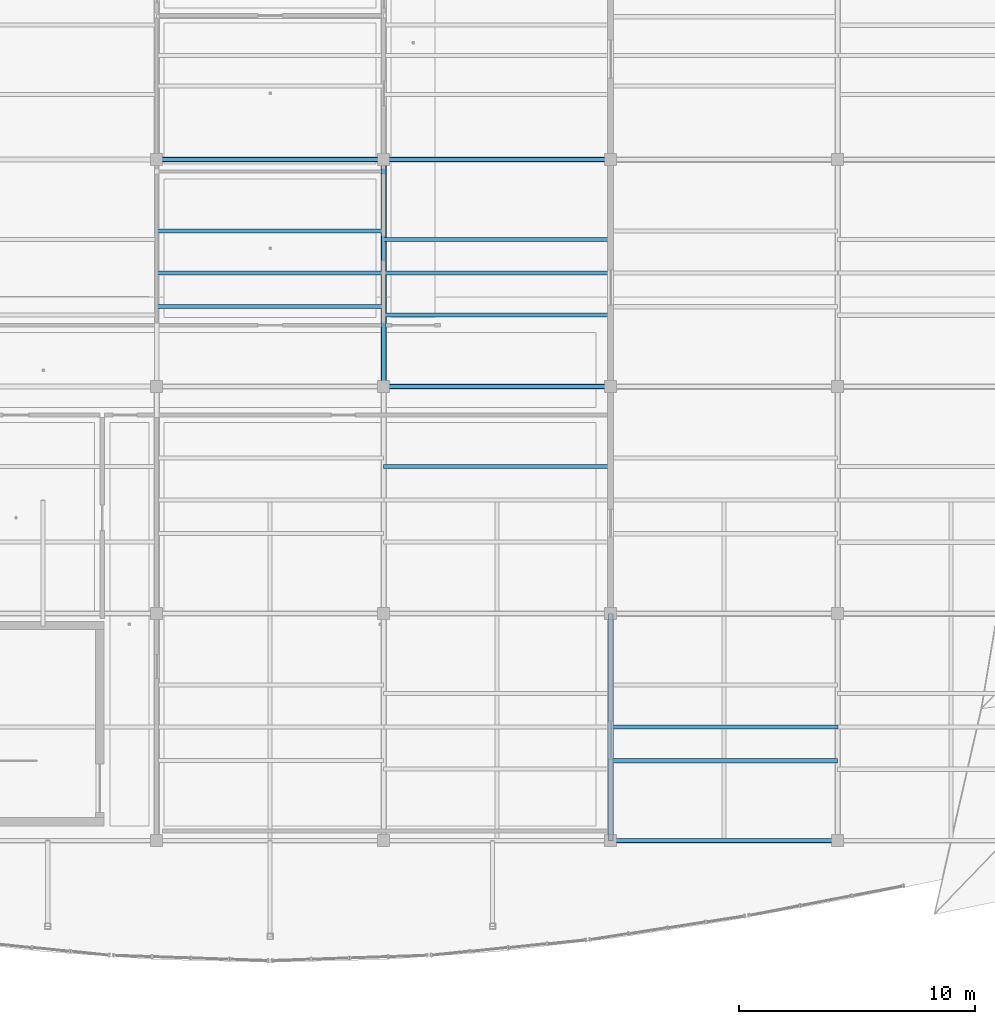
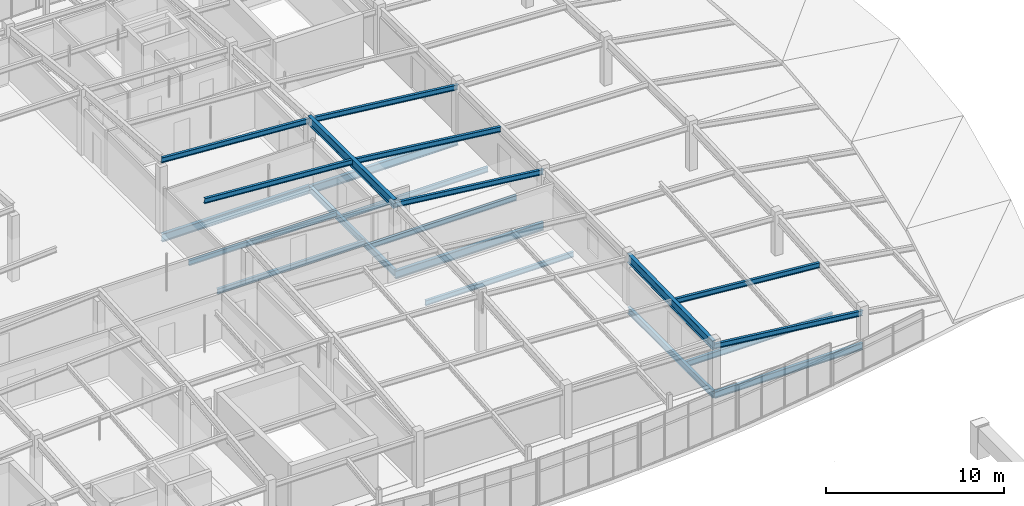
# One storey, part 40 of 65: 14 beams, 7 members.
"""IFC4 building model written with IfcOpenShell, lengths in metres."""

from ifc_helpers import new_model, si_unit, direction, frame, origin, origin_2d, place, context, subcontext, project, spatial, i_section, extrude, material, material_profile, profile_set, type_object, element, save


model = new_model("IFC4")

# Units and contexts
model_context = context("Model", 3, precision=1e-05, world=origin(), true_north=direction((0.0, 1.0)))
body_context = subcontext(model_context, "Body", "Model", "MODEL_VIEW")
ifc_project = project(units=[si_unit("LENGTHUNIT", "METRE"), si_unit("AREAUNIT", "SQUARE_METRE"), si_unit("VOLUMEUNIT", "CUBIC_METRE"), si_unit("PLANEANGLEUNIT", "RADIAN"), si_unit("MASSUNIT", "GRAM", prefix="KILO")], contexts=[model_context])

# Site, building, storey
site_placement = place(None, origin())
site = spatial("IfcSite", under=ifc_project, at=site_placement, CompositionType="ELEMENT")
building_placement = place(site_placement, origin())
building = spatial("IfcBuilding", under=site, at=building_placement, Name="Chalmorin Arch Market", CompositionType="ELEMENT")
storey_placement = place(building_placement, frame((0.0, 0.0, 14.10009765625)))
storey = spatial("IfcBuildingStorey", under=building, at=storey_placement, Name="L03", CompositionType="ELEMENT", Elevation=14.10009765625)

# Beams
ifc_material = material(Name="Steel A992 Grade 50", Category="steel")
ifc_material_profile_1 = material_profile(ifc_material, i_section(OverallWidth=0.19091796875, OverallDepth=0.45703125, WebThickness=0.009033203125, FlangeThickness=0.014404296875, FilletRadius=0.02001953125, at=origin_2d()), Name="W18X50")
ifc_profile_set_1 = profile_set([ifc_material_profile_1], Name="Steel A992 Grade 50")
beam_type_1 = type_object("IfcBeamType", Name="FloorSteelBeam-W18X50", PredefinedType="BEAM", material=ifc_profile_set_1)
beam_1_placement = place(storey_placement, frame((86.39990234375, 91.199951171875, -0.470703125), z_axis=(0.0, 1.0, 0.0), x_axis=(-1.0, 0.0, 0.0)))
element("IfcBeam", 1, at=beam_1_placement, inside=storey, type_object=beam_type_1, Name="BM-W18B-1421", PredefinedType="BEAM", context=body_context, shape_type="SweptSolid", body=[
    extrude(i_section(OverallWidth=0.19091796875, OverallDepth=0.45703125, WebThickness=0.009033203125, FlangeThickness=0.014404296875, FilletRadius=0.02001953125, at=origin_2d()), origin(), (0.0, 0.0, 1.0), 9.60009765625),
])
ifc_material_profile_2 = material_profile(ifc_material, i_section(OverallWidth=0.19091796875, OverallDepth=0.45703125, WebThickness=0.009033203125, FlangeThickness=0.014404296875, FilletRadius=0.02001953125, at=origin_2d()), Name="W18X50")
ifc_profile_set_2 = profile_set([ifc_material_profile_2], Name="Steel A992 Grade 50")
beam_type_2 = type_object("IfcBeamType", Name="PerimeterSpandrelBeam-W18X50", PredefinedType="SPANDREL", material=ifc_profile_set_2)
for number, where, z_axis, x_axis, name in (
    (2, (96.0, 72.0, -0.530517578125), (0.0, 1.0, 0.0), (-1.0, 0.0, 0.0), "SP-W18-1428"),
    (3, (96.0, 72.0, -0.530517578125), (1.0, 0.0, 0.0), (0.0, 1.0, 0.0), "SP-W18-1481"),
):
    element("IfcBeam", number, at=place(storey_placement, frame(where, z_axis=z_axis, x_axis=x_axis)), inside=storey, type_object=beam_type_2, Name=name, PredefinedType="SPANDREL", context=body_context, shape_type="SweptSolid", body=[
        extrude(i_section(OverallWidth=0.19091796875, OverallDepth=0.45703125, WebThickness=0.009033203125, FlangeThickness=0.014404296875, FilletRadius=0.02001953125, at=origin_2d()), origin(), (0.0, 0.0, 1.0), 9.60009765625),
    ])
ifc_material_profile_3 = material_profile(ifc_material, i_section(OverallWidth=0.2119140625, OverallDepth=0.5439453125, WebThickness=0.01318359375, FlangeThickness=0.021240234375, FilletRadius=0.02197265625, at=origin_2d()), Name="W21X83")
ifc_profile_set_3 = profile_set([ifc_material_profile_3], Name="Steel A992 Grade 50")
beam_type_3 = type_object("IfcBeamType", Name="PrimarySteelGirder-W21X83", PredefinedType="BEAM", material=ifc_profile_set_3)
beam_2_placement = place(storey_placement, frame((76.800048828125, 100.800048828125, -0.51416015625), z_axis=(1.0, 0.0, 0.0), x_axis=(0.0, 1.0, 0.0)))
element("IfcBeam", 4, at=beam_2_placement, inside=storey, type_object=beam_type_3, Name="BG-W21A-1420", PredefinedType="BEAM", context=body_context, shape_type="SweptSolid", body=[
    extrude(i_section(OverallWidth=0.2119140625, OverallDepth=0.5439453125, WebThickness=0.01318359375, FlangeThickness=0.021240234375, FilletRadius=0.02197265625, at=origin_2d()), origin(), (0.0, 0.0, 1.0), 9.599853515625),
])
for number, where, z_axis, x_axis, name in (
    (5, (86.39990234375, 91.199951171875, -0.57421875), (1.0, 0.0, 0.0), (0.0, 1.0, 0.0), "BG-W21A-1429"),
    (6, (86.39990234375, 100.800048828125, -0.57421875), (1.0, 0.0, 0.0), (0.0, 1.0, 0.0), "BG-W21A-1431"),
):
    element("IfcBeam", number, at=place(storey_placement, frame(where, z_axis=z_axis, x_axis=x_axis)), inside=storey, type_object=beam_type_3, Name=name, PredefinedType="BEAM", context=body_context, shape_type="SweptSolid", body=[
        extrude(i_section(OverallWidth=0.2119140625, OverallDepth=0.5439453125, WebThickness=0.01318359375, FlangeThickness=0.021240234375, FilletRadius=0.02197265625, at=origin_2d()), origin(), (0.0, 0.0, 1.0), 9.60009765625),
    ])
ifc_material_profile_4 = material_profile(ifc_material, i_section(OverallWidth=0.22802734375, OverallDepth=0.60791015625, WebThickness=0.01123046875, FlangeThickness=0.017333984375, FilletRadius=0.02392578125, at=origin_2d()), Name="W24X76")
ifc_profile_set_4 = profile_set([ifc_material_profile_4], Name="Steel A992 Grade 50")
beam_type_4 = type_object("IfcBeamType", Name="PrimarySteelGirder-W24X76", PredefinedType="BEAM", material=ifc_profile_set_4)
beam_3_placement = place(storey_placement, frame((86.39990234375, 91.199951171875, 4.2587890625), z_axis=(0.0, 0.999987577676, -0.004984425137), x_axis=(-1.0, 0.0, 0.0)))
element("IfcBeam", 7, at=beam_3_placement, inside=storey, type_object=beam_type_4, Name="BG-W24B-1567", PredefinedType="BEAM", context=body_context, shape_type="SweptSolid", body=[
    extrude(i_section(OverallWidth=0.22802734375, OverallDepth=0.60791015625, WebThickness=0.01123046875, FlangeThickness=0.017333984375, FilletRadius=0.02392578125, at=origin_2d()), origin(), (0.0, 0.0, 1.0), 9.60009765625),
])
beam_4_placement = place(storey_placement, frame((96.0, 72.0, 2.844970703125), z_axis=(0.0, 0.99976754491, 0.021560522814), x_axis=(-1.0, 0.0, 0.0)))
element("IfcBeam", 8, at=beam_4_placement, inside=storey, type_object=beam_type_4, Name="BG-W24B-1570", PredefinedType="BEAM", context=body_context, shape_type="SweptSolid", body=[
    extrude(i_section(OverallWidth=0.22802734375, OverallDepth=0.60791015625, WebThickness=0.01123046875, FlangeThickness=0.017333984375, FilletRadius=0.02392578125, at=origin_2d()), origin(), (0.0, 0.0, 1.0), 9.602294921875),
])

# Members
ifc_material_profile_5 = material_profile(ifc_material, i_section(OverallWidth=0.1708984375, OverallDepth=0.35107421875, WebThickness=0.0068359375, FlangeThickness=0.009765625, FilletRadius=0.014892578125, at=origin_2d()), Name="W14X30")
ifc_profile_set_5 = profile_set([ifc_material_profile_5], Name="Steel A992 Grade 50")
member_type = type_object("IfcMemberType", Name="RoofSteelPurlin-W14X30", PredefinedType="PURLIN", material=ifc_profile_set_5)
member_1_placement = place(storey_placement, frame((96.0, 72.0, 2.804931640625), z_axis=(0.99377818659, 0.0, -0.111377357924), x_axis=(0.0, 1.0, 0.0)))
element("IfcMember", 9, at=member_1_placement, inside=storey, type_object=member_type, Name="PR-W14-0054", PredefinedType="PURLIN", context=body_context, shape_type="SweptSolid", body=[
    extrude(i_section(OverallWidth=0.1708984375, OverallDepth=0.35107421875, WebThickness=0.0068359375, FlangeThickness=0.009765625, FilletRadius=0.014892578125, at=origin_2d()), origin(), (0.0, 0.0, 1.0), 9.66015625),
])
member_2_placement = place(storey_placement, frame((96.0, 76.800048828125, 2.9169921875), z_axis=(0.996458885553, 0.0, -0.08408144505), x_axis=(0.0, 1.0, 0.0)))
element("IfcMember", 10, at=member_2_placement, inside=storey, type_object=member_type, Name="PR-W14-0061", PredefinedType="PURLIN", context=body_context, shape_type="SweptSolid", body=[
    extrude(i_section(OverallWidth=0.1708984375, OverallDepth=0.35107421875, WebThickness=0.0068359375, FlangeThickness=0.009765625, FilletRadius=0.014892578125, at=origin_2d()), origin(), (0.0, 0.0, 1.0), 9.63427734375),
])
member_3_placement = place(storey_placement, frame((86.39990234375, 91.199951171875, 4.218994140625), z_axis=(0.993569513645, 0.0, -0.113223767627), x_axis=(0.0, 1.0, 0.0)))
element("IfcMember", 11, at=member_3_placement, inside=storey, type_object=member_type, Name="PR-W14-0081", PredefinedType="PURLIN", context=body_context, shape_type="SweptSolid", body=[
    extrude(i_section(OverallWidth=0.1708984375, OverallDepth=0.35107421875, WebThickness=0.0068359375, FlangeThickness=0.009765625, FilletRadius=0.014892578125, at=origin_2d()), origin(), (0.0, 0.0, 1.0), 9.662109375),
])
member_4_placement = place(storey_placement, frame((76.800048828125, 96.0, 4.928955078125), z_axis=(0.997529668663, 0.0, -0.070246424367), x_axis=(0.0, 1.0, 0.0)))
element("IfcMember", 12, at=member_4_placement, inside=storey, type_object=member_type, Name="PR-W14-0087", PredefinedType="PURLIN", context=body_context, shape_type="SweptSolid", body=[
    extrude(i_section(OverallWidth=0.1708984375, OverallDepth=0.35107421875, WebThickness=0.0068359375, FlangeThickness=0.009765625, FilletRadius=0.014892578125, at=origin_2d()), origin(), (0.0, 0.0, 1.0), 9.62353515625),
])
member_5_placement = place(storey_placement, frame((86.39990234375, 96.0, 4.2529296875), z_axis=(0.993288023457, 0.0, -0.115667205621), x_axis=(0.0, 1.0, 0.0)))
element("IfcMember", 13, at=member_5_placement, inside=storey, type_object=member_type, Name="PR-W14-0088", PredefinedType="PURLIN", context=body_context, shape_type="SweptSolid", body=[
    extrude(i_section(OverallWidth=0.1708984375, OverallDepth=0.35107421875, WebThickness=0.0068359375, FlangeThickness=0.009765625, FilletRadius=0.014892578125, at=origin_2d()), origin(), (0.0, 0.0, 1.0), 9.6650390625),
])
member_6_placement = place(storey_placement, frame((76.800048828125, 100.800048828125, 4.81201171875), z_axis=(0.9977774038, 0.0, -0.066635219409), x_axis=(0.0, 1.0, 0.0)))
element("IfcMember", 14, at=member_6_placement, inside=storey, type_object=member_type, Name="PR-W14-0094", PredefinedType="PURLIN", context=body_context, shape_type="SweptSolid", body=[
    extrude(i_section(OverallWidth=0.1708984375, OverallDepth=0.35107421875, WebThickness=0.0068359375, FlangeThickness=0.009765625, FilletRadius=0.014892578125, at=origin_2d()), origin(), (0.0, 0.0, 1.0), 9.621337890625),
])
member_7_placement = place(storey_placement, frame((86.39990234375, 100.800048828125, 4.1708984375), z_axis=(0.993958719877, 0.0, -0.109754558815), x_axis=(0.0, 1.0, 0.0)))
element("IfcMember", 15, at=member_7_placement, inside=storey, type_object=member_type, Name="PR-W14-0095", PredefinedType="PURLIN", context=body_context, shape_type="SweptSolid", body=[
    extrude(i_section(OverallWidth=0.1708984375, OverallDepth=0.35107421875, WebThickness=0.0068359375, FlangeThickness=0.009765625, FilletRadius=0.014892578125, at=origin_2d()), origin(), (0.0, 0.0, 1.0), 9.658447265625),
])

# Beams
ifc_material_profile_6 = material_profile(ifc_material, i_section(OverallWidth=0.1708984375, OverallDepth=0.35107421875, WebThickness=0.0068359375, FlangeThickness=0.009765625, FilletRadius=0.014892578125, at=origin_2d()), Name="W14X30")
ifc_profile_set_6 = profile_set([ifc_material_profile_6], Name="Steel A992 Grade 50")
beam_type_5 = type_object("IfcBeamType", Name="SecondaryFloorJoist-W14X30", PredefinedType="JOIST", material=ifc_profile_set_6)
for number, where, z_axis, x_axis, name in (
    (16, (76.800048828125, 94.580078125, -0.41748046875), (1.0, 0.0, 0.0), (0.0, 1.0, 0.0), "BJ-W14-1467"),
    (17, (76.800048828125, 97.780029296875, -0.41748046875), (1.0, 0.0, 0.0), (0.0, 1.0, 0.0), "BJ-W14-1468"),
):
    element("IfcBeam", number, at=place(storey_placement, frame(where, z_axis=z_axis, x_axis=x_axis)), inside=storey, type_object=beam_type_5, Name=name, PredefinedType="JOIST", context=body_context, shape_type="SweptSolid", body=[
        extrude(i_section(OverallWidth=0.1708984375, OverallDepth=0.35107421875, WebThickness=0.0068359375, FlangeThickness=0.009765625, FilletRadius=0.014892578125, at=origin_2d()), origin(), (0.0, 0.0, 1.0), 9.599853515625),
    ])
for number, where, z_axis, x_axis, name in (
    (18, (86.39990234375, 87.820068359375, -0.4775390625), (1.0, 0.0, 0.0), (0.0, 1.0, 0.0), "BJ-W14-1476"),
    (19, (86.39990234375, 94.219970703125, -0.4775390625), (1.0, 0.0, 0.0), (0.0, 1.0, 0.0), "BJ-W14-1477"),
    (20, (86.39990234375, 97.419921875, -0.4775390625), (1.0, 0.0, 0.0), (0.0, 1.0, 0.0), "BJ-W14-1478"),
):
    element("IfcBeam", number, at=place(storey_placement, frame(where, z_axis=z_axis, x_axis=x_axis)), inside=storey, type_object=beam_type_5, Name=name, PredefinedType="JOIST", context=body_context, shape_type="SweptSolid", body=[
        extrude(i_section(OverallWidth=0.1708984375, OverallDepth=0.35107421875, WebThickness=0.0068359375, FlangeThickness=0.009765625, FilletRadius=0.014892578125, at=origin_2d()), origin(), (0.0, 0.0, 1.0), 9.60009765625),
    ])
ifc_material_profile_7 = material_profile(ifc_material, i_section(OverallWidth=0.177978515625, OverallDepth=0.403076171875, WebThickness=0.007568359375, FlangeThickness=0.010986328125, FilletRadius=0.01806640625, at=origin_2d()), Name="W16X36")
ifc_profile_set_7 = profile_set([ifc_material_profile_7], Name="Steel A992 Grade 50")
beam_type_6 = type_object("IfcBeamType", Name="SecondaryFloorJoist-W16X36", PredefinedType="JOIST", material=ifc_profile_set_7)
beam_5_placement = place(storey_placement, frame((96.0, 75.3798828125, -0.503662109375), z_axis=(1.0, 0.0, 0.0), x_axis=(0.0, 1.0, 0.0)))
element("IfcBeam", 21, at=beam_5_placement, inside=storey, type_object=beam_type_6, Name="BJ-W16B-1503", PredefinedType="JOIST", context=body_context, shape_type="SweptSolid", body=[
    extrude(i_section(OverallWidth=0.177978515625, OverallDepth=0.403076171875, WebThickness=0.007568359375, FlangeThickness=0.010986328125, FilletRadius=0.01806640625, at=origin_2d()), origin(), (0.0, 0.0, 1.0), 9.60009765625),
])

save(model, "model.ifc")
